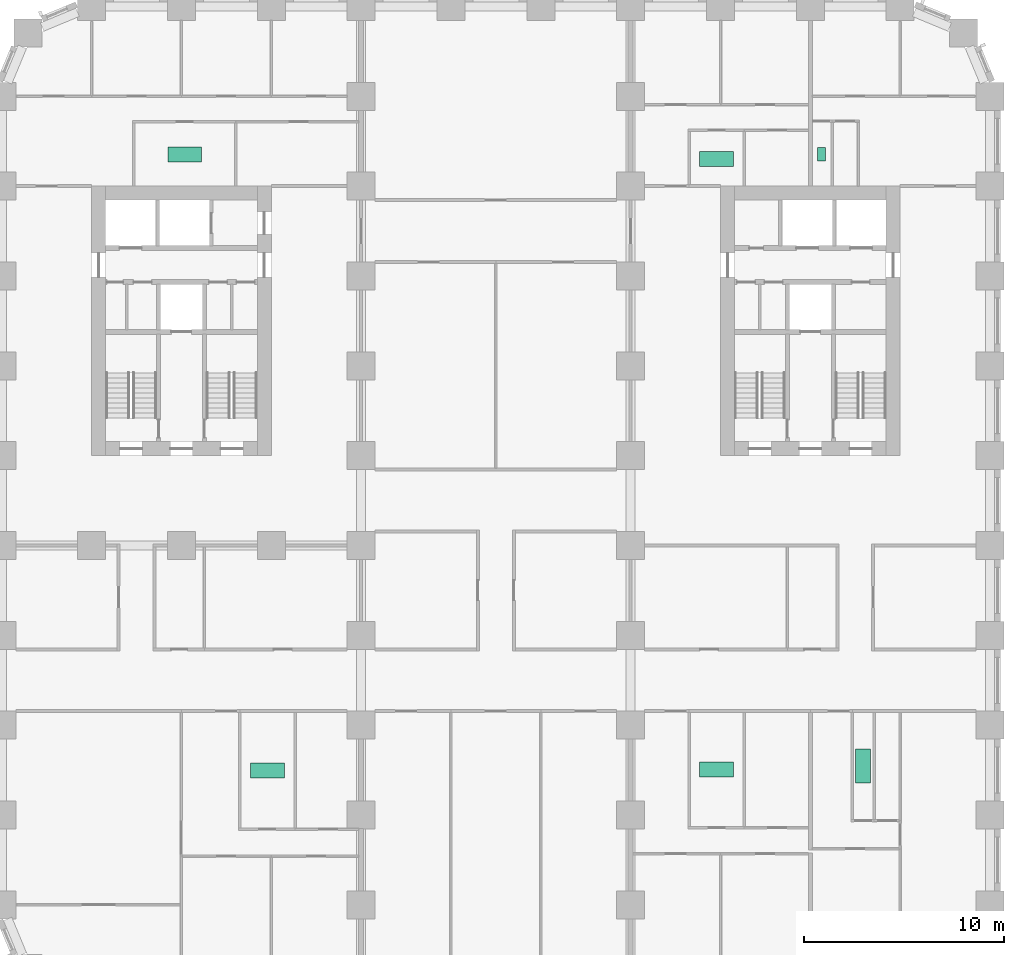
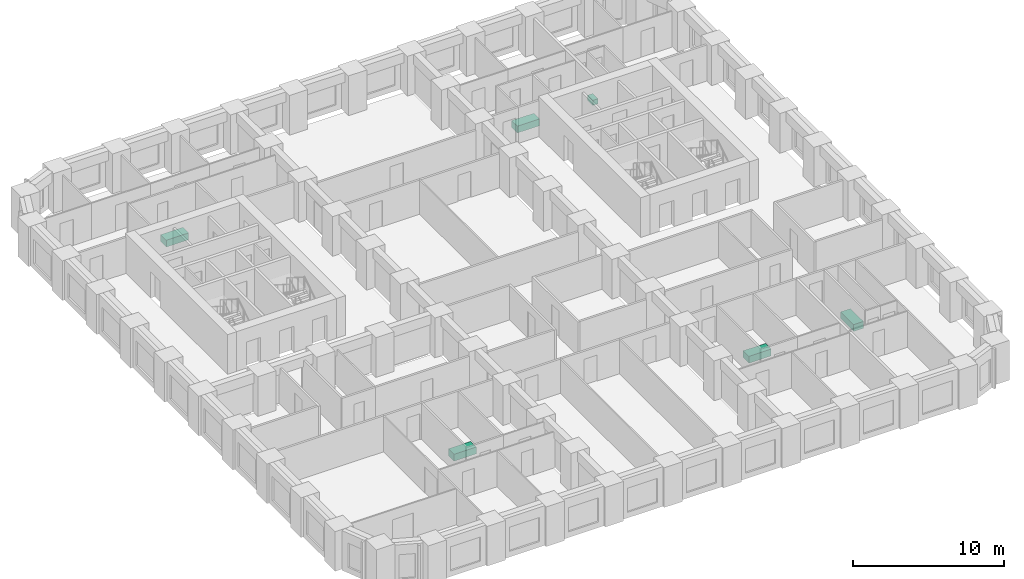
# One storey, part 12 of 12: 6 sanitary terminals.
"""IFC4 building model written with IfcOpenShell, lengths in metres."""

from ifc_helpers import new_model, si_unit, direction, frame, origin, origin_2d, place, context, subcontext, project, spatial, rectangle, extrude, material, type_object, element, save


model = new_model("IFC4")

# Units and contexts
model_context = context("Model", 3, precision=1e-05, world=origin(), true_north=direction((0.0, 1.0)))
body_context = subcontext(model_context, "Body", "Model", "MODEL_VIEW")
ifc_project = project(units=[si_unit("LENGTHUNIT", "METRE"), si_unit("AREAUNIT", "SQUARE_METRE"), si_unit("VOLUMEUNIT", "CUBIC_METRE"), si_unit("PLANEANGLEUNIT", "RADIAN"), si_unit("MASSUNIT", "GRAM", prefix="KILO")], contexts=[model_context])

# Site, building, storey
site_placement = place(None, origin())
site = spatial("IfcSite", under=ifc_project, at=site_placement, CompositionType="ELEMENT")
building_placement = place(site_placement, origin())
building = spatial("IfcBuilding", under=site, at=building_placement, Name="Girih Gate Residences", CompositionType="ELEMENT")
storey_placement = place(building_placement, frame((0.0, 0.0, 36.800048828125)))
storey = spatial("IfcBuildingStorey", under=building, at=storey_placement, Name="L08", CompositionType="ELEMENT", Elevation=36.800048828125)

# Sanitary terminals
ifc_material_1 = material(Name="Acrylic")
sanitary_terminal_type_1 = type_object("IfcSanitaryTerminalType", Name="Bath 1700", PredefinedType="BATH", material=ifc_material_1)
for number, where, z_axis, x_axis, name in (
    (1, (13.30810546875, 11.23388671875, 0.0), (0.0, 0.0, 1.0), (1.0, 0.0, 0.0), "Bath 1700 L08"),
    (2, (9.1640625, 42.0791015625, 0.0), (0.0, 0.0, 1.0), (1.0, 0.0, 0.0), "Bath 1700 L08"),
):
    element("IfcSanitaryTerminal", number, at=place(storey_placement, frame(where, z_axis=z_axis, x_axis=x_axis)), inside=storey, type_object=sanitary_terminal_type_1, Name=name, PredefinedType="BATH", context=body_context, shape_type="SweptSolid", body=[
        extrude(rectangle(XDim=1.699951171875, YDim=0.75, at=origin_2d()), origin(), (0.0, 0.0, 1.0), 0.550048828125),
    ])
sanitary_terminal_1_placement = place(storey_placement, frame((43.14501953125, 11.4541015625, 0.0), z_axis=(0.0, 0.0, 1.0), x_axis=(1.0, 0.0, 0.0)))
element("IfcSanitaryTerminal", 3, at=sanitary_terminal_1_placement, inside=storey, type_object=sanitary_terminal_type_1, Name="Bath 1700 L08", PredefinedType="BATH", context=body_context, shape_type="SweptSolid", body=[
    extrude(rectangle(XDim=0.75, YDim=1.699951171875, at=origin_2d()), origin(), (0.0, 0.0, 1.0), 0.550048828125),
])
for number, where, z_axis, x_axis, name in (
    (4, (35.801025390625, 11.27392578125, 0.0), (0.0, 0.0, 1.0), (1.0, 0.0, 0.0), "Bath 1700 L08"),
    (5, (35.80810546875, 41.868896484375, 0.0), (0.0, 0.0, 1.0), (1.0, 0.0, 0.0), "Bath 1700 L08"),
):
    element("IfcSanitaryTerminal", number, at=place(storey_placement, frame(where, z_axis=z_axis, x_axis=x_axis)), inside=storey, type_object=sanitary_terminal_type_1, Name=name, PredefinedType="BATH", context=body_context, shape_type="SweptSolid", body=[
        extrude(rectangle(XDim=1.699951171875, YDim=0.75, at=origin_2d()), origin(), (0.0, 0.0, 1.0), 0.550048828125),
    ])
ifc_material_2 = material(Name="Vitreous china")
sanitary_terminal_type_2 = type_object("IfcSanitaryTerminalType", Name="WC pan", PredefinedType="TOILETPAN", material=ifc_material_2)
sanitary_terminal_2_placement = place(storey_placement, frame((41.06396484375, 42.09912109375, 0.0), z_axis=(0.0, 0.0, 1.0), x_axis=(1.0, 0.0, 0.0)))
element("IfcSanitaryTerminal", 6, at=sanitary_terminal_2_placement, inside=storey, type_object=sanitary_terminal_type_2, Name="WC pan L08", PredefinedType="TOILETPAN", context=body_context, shape_type="SweptSolid", body=[
    extrude(rectangle(XDim=0.39990234375, YDim=0.699951171875, at=origin_2d()), origin(), (0.0, 0.0, 1.0), 0.39990234375),
])

save(model, "model.ifc")
